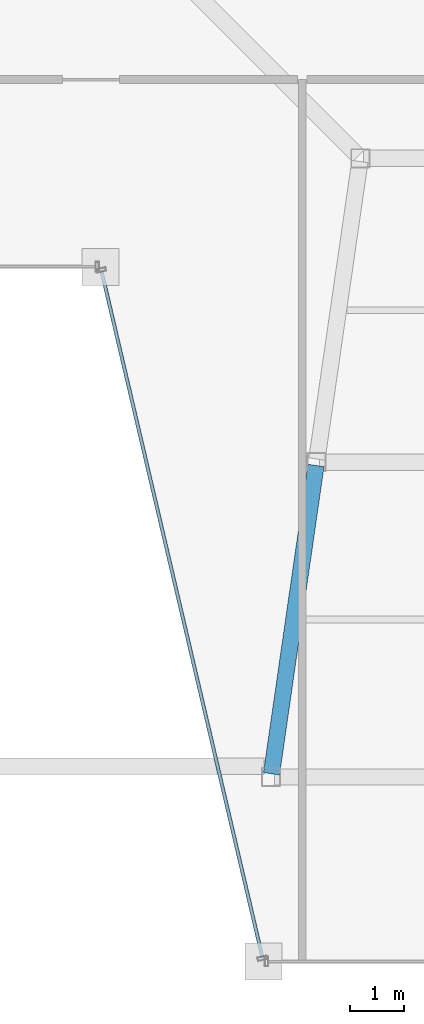
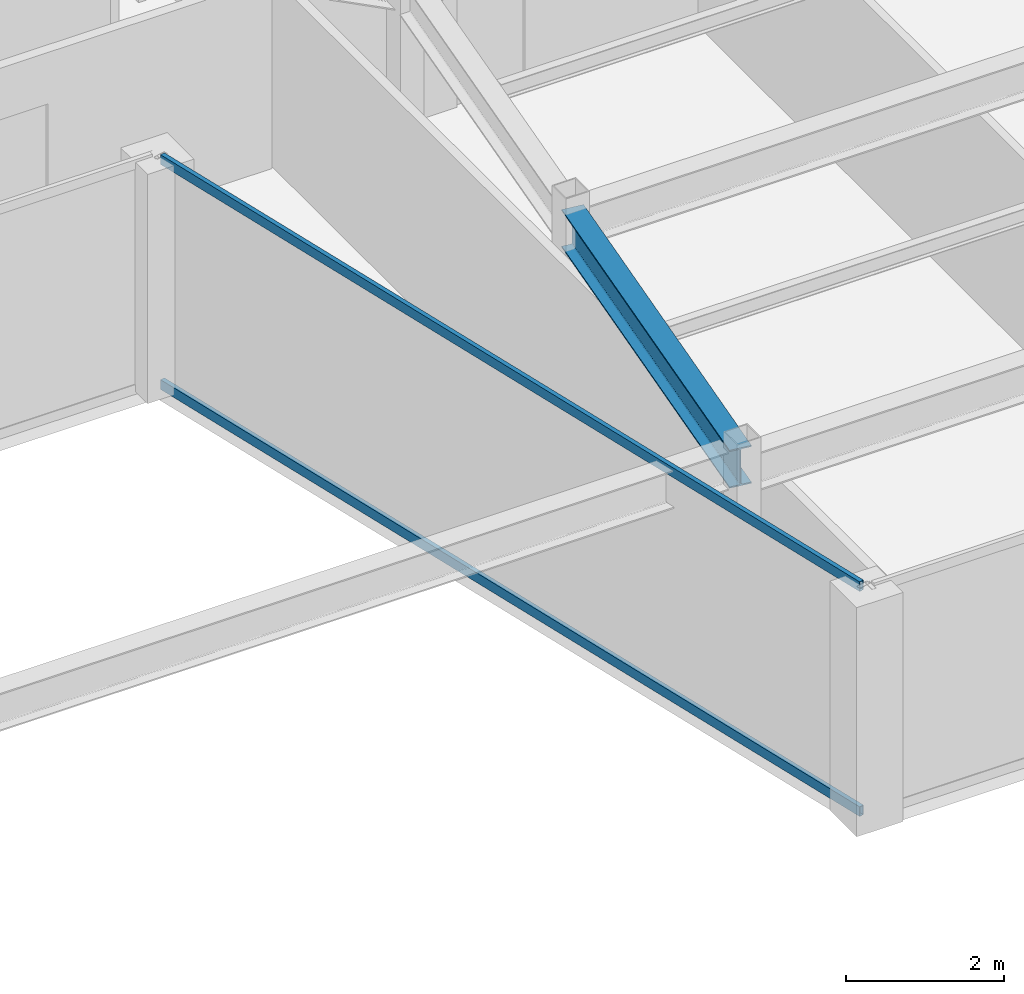
# One storey, part 13 of 32: 2 members, 1 beam, 1 element without a shape of its own.
"""IFC4 building model written with IfcOpenShell, lengths in metres."""

from ifc_helpers import new_model, si_unit, direction, frame, origin, origin_2d, place, context, subcontext, project, spatial, hollow_rectangle, i_section, extrude, material, material_profile, profile_set, type_object, element, aggregate, save


model = new_model("IFC4")

# Units and contexts
model_context = context("Model", 3, precision=1e-05, world=origin(), true_north=direction((0.0, 1.0)))
body_context = subcontext(model_context, "Body", "Model", "MODEL_VIEW")
ifc_project = project(units=[si_unit("LENGTHUNIT", "METRE"), si_unit("AREAUNIT", "SQUARE_METRE"), si_unit("VOLUMEUNIT", "CUBIC_METRE"), si_unit("PLANEANGLEUNIT", "RADIAN"), si_unit("MASSUNIT", "GRAM", prefix="KILO")], contexts=[model_context])

# Site, building, storey
site_placement = place(None, origin())
site = spatial("IfcSite", under=ifc_project, at=site_placement, CompositionType="ELEMENT")
building_placement = place(site_placement, origin())
building = spatial("IfcBuilding", under=site, at=building_placement, Name="Saevonmaru Cultural Tower", CompositionType="ELEMENT")
storey_placement = place(building_placement, frame((0.0, 0.0, 261.0)))
storey = spatial("IfcBuildingStorey", under=building, at=storey_placement, Name="L61", CompositionType="ELEMENT", Elevation=261.0)

# Beam
ifc_material_1 = material(Name="Steel SM355", Category="steel")
ifc_material_profile_1 = material_profile(ifc_material_1, i_section(OverallWidth=0.300048828125, OverallDepth=0.587890625, WebThickness=0.011962890625, FlangeThickness=0.02001953125, FilletRadius=0.02392578125, at=origin_2d()), Name="H-588x300x12x20")
ifc_profile_set_1 = profile_set([ifc_material_profile_1], Name="Steel SM355")
beam_type = type_object("IfcBeamType", Name="BM-G-H588", PredefinedType="BEAM", material=ifc_profile_set_1)
beam_placement = place(storey_placement, frame((39.5546875, 26.259521484375, 3.256103515625), z_axis=(0.142826510921, 0.989747739466, 0.0), x_axis=(-0.989747739466, 0.142826510921, 0.0)))
element("IfcBeam", 1, at=beam_placement, inside=storey, type_object=beam_type, Name="L61 East Atrium Girder 1", PredefinedType="BEAM", context=body_context, shape_type="SweptSolid", body=[
    extrude(i_section(OverallWidth=0.300048828125, OverallDepth=0.587890625, WebThickness=0.011962890625, FlangeThickness=0.02001953125, FilletRadius=0.02392578125, at=origin_2d()), origin(), (0.0, 0.0, 1.0), 5.739990234375),
])

# Curtain wall, members
ifc_material_2 = material(Name="Satin Bronze Anodised Aluminium", Category="aluminium")
curtain_wall_type = type_object("IfcCurtainWallType", Name="CW-TYP-B", PredefinedType="NOTDEFINED", material=ifc_material_2)
curtain_wall_placement = place(storey_placement, origin())
curtain_wall = element("IfcCurtainWall", 2, at=curtain_wall_placement, inside=storey, type_object=curtain_wall_type, Name="L61 Unitised Curtain Wall E5", PredefinedType="NOTDEFINED")
ifc_material_profile_2 = material_profile(ifc_material_2, hollow_rectangle(XDim=0.06494140625, YDim=0.14990234375, WallThickness=0.00390625, at=origin_2d()), Name="ALU-TRAN-150x65x4")
ifc_profile_set_2 = profile_set([ifc_material_profile_2], Name="Satin Bronze Anodised Aluminium")
member_type = type_object("IfcMemberType", Name="TR-CW-150x65", PredefinedType="USERDEFINED", material=ifc_profile_set_2)
member_1_placement = place(storey_placement, frame((36.425537109375, 35.510009765625, 0.032470703125), z_axis=(0.228189927903, -0.973616637493, 0.0), x_axis=(0.973616637493, 0.228189927903, 0.0)))
member_1 = element("IfcMember", 3, at=member_1_placement, type_object=member_type, Name="CW-TW-L61-E5 transom 1.1", ObjectType="TRANSOM", PredefinedType="USERDEFINED", context=body_context, shape_type="SweptSolid", body=[
    extrude(hollow_rectangle(XDim=0.06494140625, YDim=0.14990234375, WallThickness=0.00390625, at=origin_2d()), origin(), (0.0, 0.0, 1.0), 12.9619140625),
])
member_2_placement = place(storey_placement, frame((36.425537109375, 35.510009765625, 3.517578125), z_axis=(0.228189927903, -0.973616637493, 0.0), x_axis=(0.973616637493, 0.228189927903, 0.0)))
member_2 = element("IfcMember", 4, at=member_2_placement, type_object=member_type, Name="CW-TW-L61-E5 transom 1.2", ObjectType="TRANSOM", PredefinedType="USERDEFINED", context=body_context, shape_type="SweptSolid", body=[
    extrude(hollow_rectangle(XDim=0.06494140625, YDim=0.14990234375, WallThickness=0.00390625, at=origin_2d()), origin(), (0.0, 0.0, 1.0), 12.9619140625),
])
aggregate(curtain_wall, [member_1, member_2])

save(model, "model.ifc")
